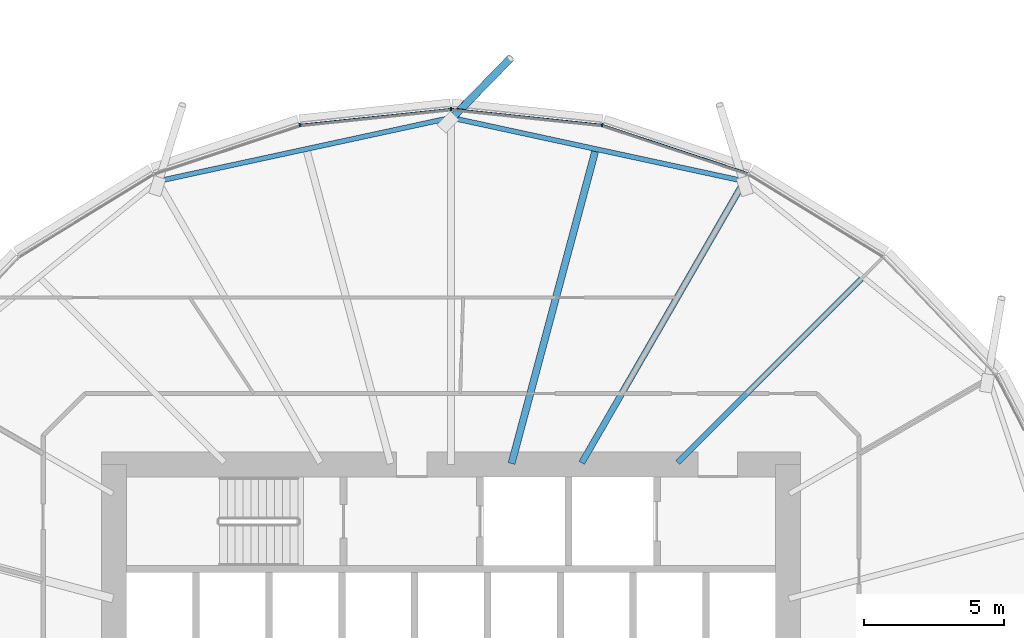
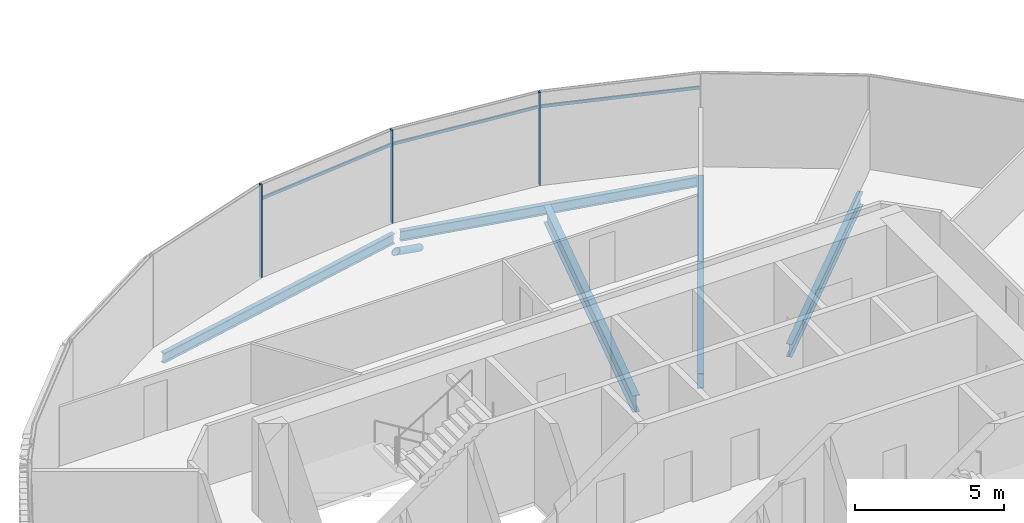
# One storey, part 10 of 37: 7 members, 5 beams, 1 element without a shape of its own.
"""IFC4 building model written with IfcOpenShell, lengths in metres."""

import ifcopenshell
import ifcopenshell.guid

model = None  # the IFC model being written
_history = None  # IfcOwnerHistory: only IFC2X3 demands one
_inside = {}  # id of a spatial element -> (the spatial element, [elements in it])
_under = {}  # id of a project, library or spatial element -> (it, [spatial elements below it])
_declared = {}  # id of a project -> (the project, [libraries it declares])
_typed = {}  # id of a type object -> (the type object, [elements of that type])
_made_of = {}  # id of a material, layer set ... -> (it, [elements and type objects made of it])


def new_model(schema):
    """Start an empty IFC model of exactly this schema.

    Asked for "IFC4X3", IfcOpenShell would pick the latest addendum, in which some entities
    have other attributes; the version numbers below select the first issue.
    IFC2X3 requires an IfcOwnerHistory on every rooted entity: one is made here for all.
    """
    global model, _history
    if schema == "IFC4X3":
        model = ifcopenshell.file(schema_version=(4, 3, 0, 0))
    else:
        model = ifcopenshell.file(schema=schema)
    _inside.clear()
    _under.clear()
    _declared.clear()
    _typed.clear()
    _made_of.clear()
    _history = None
    if model.schema == "IFC2X3":
        org = make("IfcOrganization", Name="unknown")
        user = make(
            "IfcPersonAndOrganization",
            ThePerson=make("IfcPerson", FamilyName="unknown"),
            TheOrganization=org,
        )
        app = make(
            "IfcApplication",
            ApplicationDeveloper=org,
            Version="unknown",
            ApplicationFullName="unknown",
            ApplicationIdentifier="unknown",
        )
        _history = make(
            "IfcOwnerHistory",
            OwningUser=user,
            OwningApplication=app,
            ChangeAction="ADDED",
            CreationDate=0,
        )
    return model


def make(cls, **values):
    """One entity of the class cls with the attributes given. An attribute that is None is left unset."""
    return model.create_entity(
        cls, **{name: value for name, value in values.items() if value is not None}
    )


def rooted(cls, **values):
    """An entity with a GlobalId (a new one), such as an element, a storey or a relation."""
    return make(cls, GlobalId=ifcopenshell.guid.new(), OwnerHistory=_history, **values)


def si_unit(unit_type, name, prefix=None):
    """IfcSIUnit, for example si_unit("LENGTHUNIT", "METRE", prefix="MILLI")."""
    return make("IfcSIUnit", UnitType=unit_type, Prefix=prefix, Name=name)


def assignment(units):
    """IfcUnitAssignment: the units of a project."""
    return None if units is None else make("IfcUnitAssignment", Units=units)


def point(xyz):
    """IfcCartesianPoint."""
    return None if xyz is None else make("IfcCartesianPoint", Coordinates=xyz)


def direction(xyz):
    """IfcDirection."""
    return None if xyz is None else make("IfcDirection", DirectionRatios=xyz)


def frame(location, z_axis=None, x_axis=None):
    """IfcAxis2Placement3D, a coordinate frame: its origin and axes. An axis left out is left unset."""
    return make(
        "IfcAxis2Placement3D",
        Location=point(location),
        Axis=direction(z_axis),
        RefDirection=direction(x_axis),
    )


def frame_2d(location, x_axis=None):
    """IfcAxis2Placement2D, a coordinate frame in the plane: its origin and x axis."""
    return make(
        "IfcAxis2Placement2D", Location=point(location), RefDirection=direction(x_axis)
    )


def origin():
    """The frame at (0, 0, 0) with its axes left unset."""
    return frame((0.0, 0.0, 0.0))


def origin_2d():
    """The frame at (0, 0) in the plane with its x axis left unset."""
    return frame_2d((0.0, 0.0))


def place(relative_to, where):
    """IfcLocalPlacement: puts the frame where relative to a parent placement (None: the world)."""
    return make(
        "IfcLocalPlacement", PlacementRelTo=relative_to, RelativePlacement=where
    )


def context(
    kind, dimensions, precision=None, world=None, true_north=None, identifier=None
):
    """IfcGeometricRepresentationContext, for example the 3D "Model" context."""
    return make(
        "IfcGeometricRepresentationContext",
        ContextIdentifier=identifier,
        ContextType=kind,
        CoordinateSpaceDimension=dimensions,
        Precision=precision,
        WorldCoordinateSystem=world,
        TrueNorth=true_north,
    )


def subcontext(parent, identifier, kind, view, scale=None):
    """IfcGeometricRepresentationSubContext, for example "Body" below "Model"."""
    return make(
        "IfcGeometricRepresentationSubContext",
        ContextIdentifier=identifier,
        ContextType=kind,
        ParentContext=parent,
        TargetScale=scale,
        TargetView=view,
    )


def project(units=None, contexts=None):
    """IfcProject with its units and contexts."""
    return rooted(
        "IfcProject",
        Name="project",
        RepresentationContexts=contexts,
        UnitsInContext=assignment(units),
    )


def spatial(cls, under=None, at=None, **own):
    """A site, building, storey or space (cls), placed at a placement, below another one or the project."""
    s = rooted(cls, ObjectPlacement=at, **own)
    if under is not None:
        _under.setdefault(under.id(), (under, []))[1].append(s)
    return s


def profile(cls, at=None, kind="AREA", **sizes):
    """A parametric profile (cls). Its sizes go by their IFC names, for example OverallWidth=200.0."""
    return make(cls, ProfileType=kind, Position=at, **sizes)


def rectangle(**sizes):
    """IfcRectangleProfileDef."""
    return profile("IfcRectangleProfileDef", **sizes)


def hollow_circle(**sizes):
    """IfcCircleHollowProfileDef."""
    return profile("IfcCircleHollowProfileDef", **sizes)


def i_section(**sizes):
    """IfcIShapeProfileDef."""
    return profile("IfcIShapeProfileDef", **sizes)


def extrude(swept, where, along, depth):
    """IfcExtrudedAreaSolid: the profile swept, set in the frame where, extruded along a direction by depth."""
    return make(
        "IfcExtrudedAreaSolid",
        SweptArea=swept,
        Position=where,
        ExtrudedDirection=direction(along),
        Depth=depth,
    )


def clip(a, b, op="DIFFERENCE"):
    """IfcBooleanClippingResult: the solid a cut by the half space b."""
    return make(
        "IfcBooleanClippingResult", Operator=op, FirstOperand=a, SecondOperand=b
    )


def halfspace(plane, agree):
    """IfcHalfSpaceSolid: all space on one side of the plane z = 0 of the frame plane."""
    return make(
        "IfcHalfSpaceSolid",
        BaseSurface=make("IfcPlane", Position=plane),
        AgreementFlag=agree,
    )


def shape(context_of_items, identifier, shape_type, items):
    """IfcShapeRepresentation: the items that make up one representation, for example the "Body"."""
    return make(
        "IfcShapeRepresentation",
        ContextOfItems=context_of_items,
        RepresentationIdentifier=identifier,
        RepresentationType=shape_type,
        Items=items,
    )


def material(Name=None, Category=None):
    """IfcMaterial."""
    return make("IfcMaterial", Name=Name, Category=Category)


def material_profile(
    of_material, cross_section, Name=None, Category=None, Priority=None
):
    """IfcMaterialProfile: a cross section and its material."""
    return make(
        "IfcMaterialProfile",
        Name=Name,
        Material=of_material,
        Profile=cross_section,
        Priority=Priority,
        Category=Category,
    )


def profile_set(profiles, Name=None, composite=None):
    """IfcMaterialProfileSet."""
    return make(
        "IfcMaterialProfileSet",
        Name=Name,
        MaterialProfiles=profiles,
        CompositeProfile=composite,
    )


def made_of(thing, what):
    """Note that an element or type object is made of a material, layer set ...; save() writes the relation."""
    if what is not None:
        _made_of.setdefault(what.id(), (what, []))[1].append(thing)
    return thing


def type_object(cls, material=None, **own):
    """A type object (cls), such as IfcWallType, which elements share."""
    return made_of(rooted(cls, **own), material)


def element(
    cls,
    number,
    at=None,
    inside=None,
    cuts=None,
    type_object=None,
    material=None,
    context=None,
    identifier="Body",
    shape_type=None,
    held_by="IfcProductDefinitionShape",
    body=None,
    shapes=None,
    **own,
):
    """One element of the class cls, such as IfcWall. Its Tag is "e" and its number.

    at: its placement. inside: the storey or other place that contains it. cuts: it is an
    opening in that element (IfcRelVoidsElement). A single representation is given by context,
    identifier, shape_type and body (its items); several are given by shapes. held_by: the class
    of the entity that holds the representations. save() writes the other relations.
    """
    e = rooted(cls, Tag="e%d" % number, ObjectPlacement=at, **own)
    if body is not None:
        shapes = [shape(context, identifier, shape_type, body)]
    if shapes is not None:
        e.Representation = make(held_by, Representations=shapes)
    if inside is not None:
        _inside.setdefault(inside.id(), (inside, []))[1].append(e)
    if cuts is not None:
        rooted(
            "IfcRelVoidsElement", RelatingBuildingElement=cuts, RelatedOpeningElement=e
        )
    if type_object is not None:
        _typed.setdefault(type_object.id(), (type_object, []))[1].append(e)
    return made_of(e, material)


def aggregate(whole, parts):
    """IfcRelAggregates: a whole, such as a stair, and the parts it consists of."""
    return rooted("IfcRelAggregates", RelatingObject=whole, RelatedObjects=parts)


def save(model, path):
    """Write the relations noted so far, then the file.

    IfcRelAggregates (storeys below a building ...), IfcRelContainedInSpatialStructure (elements
    in a storey), IfcRelDefinesByType, IfcRelAssociatesMaterial and IfcRelDeclares: one each for
    every whole, place, type object, material and project.
    """
    for whole, parts in _under.values():
        aggregate(whole, parts)
    for where, things in _inside.values():
        rooted(
            "IfcRelContainedInSpatialStructure",
            RelatedElements=things,
            RelatingStructure=where,
        )
    for kind, things in _typed.values():
        rooted("IfcRelDefinesByType", RelatedObjects=things, RelatingType=kind)
    for what, things in _made_of.values():
        rooted("IfcRelAssociatesMaterial", RelatedObjects=things, RelatingMaterial=what)
    for by, libraries in _declared.values():
        rooted("IfcRelDeclares", RelatingContext=by, RelatedDefinitions=libraries)
    model.write(path)


model = new_model("IFC4")

# Units and contexts
model_context = context("Model", 3, precision=1e-05, world=origin(), true_north=direction((0.0, 1.0)))
body_context = subcontext(model_context, "Body", "Model", "MODEL_VIEW")
ifc_project = project(units=[si_unit("LENGTHUNIT", "METRE"), si_unit("AREAUNIT", "SQUARE_METRE"), si_unit("VOLUMEUNIT", "CUBIC_METRE"), si_unit("PLANEANGLEUNIT", "RADIAN"), si_unit("MASSUNIT", "GRAM", prefix="KILO")], contexts=[model_context])

# Site, building, storey
site_placement = place(None, origin())
site = spatial("IfcSite", under=ifc_project, at=site_placement, CompositionType="ELEMENT")
building_placement = place(site_placement, origin())
building = spatial("IfcBuilding", under=site, at=building_placement, Name="Rimbun Link Towers", CompositionType="ELEMENT")
storey_placement = place(building_placement, frame((0.0, 0.0, 60.39990234375)))
storey = spatial("IfcBuildingStorey", under=building, at=storey_placement, Name="L14", CompositionType="ELEMENT", Elevation=60.39990234375)

# Curtain wall, members
ifc_material_1 = material(Name="Aluminium 6063-T6 and low-iron glass", Category="aluminium")
curtain_wall_type = type_object("IfcCurtainWallType", Name="CW1 unitised vision wall", PredefinedType="NOTDEFINED", material=ifc_material_1)
curtain_wall_placement = place(storey_placement, origin())
curtain_wall = element("IfcCurtainWall", 1, at=curtain_wall_placement, inside=storey, type_object=curtain_wall_type, Name="CW1 L14 T1", PredefinedType="NOTDEFINED")
ifc_material_2 = material(Name="Aluminium 6063-T6", Category="aluminium")
ifc_material_profile_1 = material_profile(ifc_material_2, rectangle(XDim=0.1201171875, YDim=0.06005859375, at=origin_2d()), Name="MULLION 60X120")
ifc_profile_set_1 = profile_set([ifc_material_profile_1], Name="Aluminium 6063-T6")
member_type_1 = type_object("IfcMemberType", Name="CW1 mullion 60X120", PredefinedType="MULLION", material=ifc_profile_set_1)
member_1_placement = place(storey_placement, frame((-26.369384765625, 20.09228515625, 0.0), z_axis=(0.0, 0.0, 1.0), x_axis=(0.210873842747, 0.977513285048, 0.0)))
member_1 = element("IfcMember", 2, at=member_1_placement, type_object=member_type_1, Name="CW1 mullion", PredefinedType="MULLION", context=body_context, shape_type="SweptSolid", body=[
    extrude(rectangle(XDim=0.1201171875, YDim=0.06005859375, at=origin_2d()), origin(), (0.0, 0.0, 1.0), 3.800048828125),
])
member_2_placement = place(storey_placement, frame((-31.75, 20.6591796875, 0.0), z_axis=(0.0, 0.0, 1.0), x_axis=(0.0, 1.0, 0.0)))
member_2 = element("IfcMember", 3, at=member_2_placement, type_object=member_type_1, Name="CW1 mullion", PredefinedType="MULLION", context=body_context, shape_type="SweptSolid", body=[
    extrude(rectangle(XDim=0.1201171875, YDim=0.06005859375, at=origin_2d()), origin(), (0.0, 0.0, 1.0), 3.800048828125),
])
member_3_placement = place(storey_placement, frame((-37.130615234375, 20.09228515625, 0.0), z_axis=(0.0, 0.0, 1.0), x_axis=(-0.210873842747, 0.977513285048, 0.0)))
member_3 = element("IfcMember", 4, at=member_3_placement, type_object=member_type_1, Name="CW1 mullion", PredefinedType="MULLION", context=body_context, shape_type="SweptSolid", body=[
    extrude(rectangle(XDim=0.1201171875, YDim=0.06005859375, at=origin_2d()), origin(), (0.0, 0.0, 1.0), 3.800048828125),
])
ifc_material_3 = material(Name="Aluminium 6063-T6", Category="aluminium")
ifc_material_profile_2 = material_profile(ifc_material_3, rectangle(XDim=0.06005859375, YDim=0.1201171875, at=origin_2d()), Name="TRANSOM 60X120")
ifc_profile_set_2 = profile_set([ifc_material_profile_2], Name="Aluminium 6063-T6")
member_type_2 = type_object("IfcMemberType", Name="CW1 transom 60X120", PredefinedType="USERDEFINED", material=ifc_profile_set_2)
member_4_placement = place(storey_placement, frame((-26.335205078125, 20.079345703125, 3.2001953125), z_axis=(0.949235766139, -0.314565510318, 0.0), x_axis=(0.314565510318, 0.949235766139, 0.0)))
member_4 = element("IfcMember", 5, at=member_4_placement, type_object=member_type_2, Name="CW1 transom", ObjectType="TRANSOM", PredefinedType="USERDEFINED", context=body_context, shape_type="SweptSolid", body=[
    extrude(rectangle(XDim=0.06005859375, YDim=0.1201171875, at=origin_2d()), origin(), (0.0, 0.0, 1.0), 5.421142578125),
])
member_5_placement = place(storey_placement, frame((-31.714111328125, 20.653564453125, 3.2001953125), z_axis=(0.99449943631, -0.104741926558, 0.0), x_axis=(0.104741926558, 0.99449943631, 0.0)))
member_5 = element("IfcMember", 6, at=member_5_placement, type_object=member_type_2, Name="CW1 transom", ObjectType="TRANSOM", PredefinedType="USERDEFINED", context=body_context, shape_type="SweptSolid", body=[
    extrude(rectangle(XDim=0.06005859375, YDim=0.1201171875, at=origin_2d()), origin(), (0.0, 0.0, 1.0), 5.337646484375),
])
member_6_placement = place(storey_placement, frame((-37.09423828125, 20.094482421875, 3.2001953125), z_axis=(0.99449943631, 0.104741926558, 0.0), x_axis=(-0.104741926558, 0.99449943631, 0.0)))
member_6 = element("IfcMember", 7, at=member_6_placement, type_object=member_type_2, Name="CW1 transom", ObjectType="TRANSOM", PredefinedType="USERDEFINED", context=body_context, shape_type="SweptSolid", body=[
    extrude(rectangle(XDim=0.06005859375, YDim=0.1201171875, at=origin_2d()), origin(), (0.0, 0.0, 1.0), 5.337646484375),
])
aggregate(curtain_wall, [member_1, member_2, member_3, member_4, member_5, member_6])

# Member
ifc_material_4 = material(Name="Steel S355J2H", Category="steel")
ifc_material_profile_3 = material_profile(ifc_material_4, hollow_circle(Radius=0.136474609375, WallThickness=0.012451171875, at=origin_2d()), Name="CHS 273x12.5")
ifc_profile_set_3 = profile_set([ifc_material_profile_3], Name="Steel S355J2H")
member_type_3 = type_object("IfcMemberType", Name="Floor edge link CHS 273x12.5", PredefinedType="BRACE", material=ifc_profile_set_3)
member_7_placement = place(storey_placement, frame((-31.75, 20.297607421875, -0.959228515625), z_axis=(0.591983223864, 0.605956345441, -0.53138758932), x_axis=(-0.715306024786, 0.698811341425, 0.0)))
element("IfcMember", 8, at=member_7_placement, inside=storey, type_object=member_type_3, Name="Floor edge link T1 L14 06", PredefinedType="BRACE", context=body_context, shape_type="Clipping", body=[
    clip(extrude(hollow_circle(Radius=0.136474609375, WallThickness=0.012451171875, at=origin_2d()), frame((0.0, 0.0, -0.4541015625)), (0.0, 0.0, 1.0), 4.035888671875), halfspace(frame((0.0, 0.0, -0.214111328125), z_axis=(0.0, 0.847128815421, -0.53138758932)), False)),
])

# Beams
ifc_material_5 = material(Name="Steel S355J2", Category="steel")
ifc_material_profile_4 = material_profile(ifc_material_5, i_section(OverallWidth=0.177978515625, OverallDepth=0.406494140625, WebThickness=0.0078125, FlangeThickness=0.0126953125, at=origin_2d()), Name="UB 406x178x60")
ifc_profile_set_4 = profile_set([ifc_material_profile_4], Name="Steel S355J2")
beam_type_1 = type_object("IfcBeamType", Name="UB 406x178x60", PredefinedType="BEAM", material=ifc_profile_set_4)
for number, where, z_axis, x_axis, name in (
    (9, (-21.42431640625, 18.114013671875, -0.363037109375), (-0.977392737339, 0.21143187318, 0.0), (-0.21143187318, -0.977392737339, 0.0), "Edge beam T1 L14 04-06"),
    (10, (-31.877685546875, 20.320068359375, -0.363037109375), (-0.977392737339, -0.21143187318, 0.0), (0.21143187318, -0.977392737339, 0.0), "Edge beam T1 L14 06-08"),
):
    element("IfcBeam", number, at=place(storey_placement, frame(where, z_axis=z_axis, x_axis=x_axis)), inside=storey, type_object=beam_type_1, Name=name, PredefinedType="BEAM", context=body_context, shape_type="SweptSolid", body=[
        extrude(i_section(OverallWidth=0.177978515625, OverallDepth=0.406494140625, WebThickness=0.0078125, FlangeThickness=0.0126953125, at=origin_2d()), origin(), (0.0, 0.0, 1.0), 10.433837890625),
    ])
ifc_material_6 = material(Name="Steel S355J2", Category="steel")
ifc_material_profile_5 = material_profile(ifc_material_6, i_section(OverallWidth=0.209228515625, OverallDepth=0.533203125, WebThickness=0.010009765625, FlangeThickness=0.015625, at=origin_2d()), Name="UB 533x210x92")
ifc_profile_set_5 = profile_set([ifc_material_profile_5], Name="Steel S355J2")
beam_type_2 = type_object("IfcBeamType", Name="UB 533x210x92", PredefinedType="BEAM", material=ifc_profile_set_5)
beam_1_placement = place(storey_placement, frame((-23.67529296875, 8.07470703125, -0.426513671875), z_axis=(0.707106781187, 0.707106781187, 0.0), x_axis=(-0.707106781187, 0.707106781187, 0.0)))
element("IfcBeam", 11, at=beam_1_placement, inside=storey, type_object=beam_type_2, Name="Radial beam T1 L14 03", PredefinedType="BEAM", context=body_context, shape_type="SweptSolid", body=[
    extrude(i_section(OverallWidth=0.209228515625, OverallDepth=0.533203125, WebThickness=0.010009765625, FlangeThickness=0.015625, at=origin_2d()), origin(), (0.0, 0.0, 1.0), 9.24072265625),
])
ifc_material_7 = material(Name="Steel S355J2", Category="steel")
ifc_material_profile_6 = material_profile(ifc_material_7, i_section(OverallWidth=0.2275390625, OverallDepth=0.6025390625, WebThickness=0.010498046875, FlangeThickness=0.014892578125, at=origin_2d()), Name="UB 610x229x101")
ifc_profile_set_6 = profile_set([ifc_material_profile_6], Name="Steel S355J2")
beam_type_3 = type_object("IfcBeamType", Name="UB 610x229x101", PredefinedType="BEAM", material=ifc_profile_set_6)
beam_2_placement = place(storey_placement, frame((-27.097900390625, 8.057861328125, -0.461181640625), z_axis=(0.500008919292, 0.866020254168, 0.0), x_axis=(-0.866020254168, 0.500008919292, 0.0)))
element("IfcBeam", 12, at=beam_2_placement, inside=storey, type_object=beam_type_3, Name="Radial beam T1 L14 04", PredefinedType="BEAM", context=body_context, shape_type="SweptSolid", body=[
    extrude(i_section(OverallWidth=0.2275390625, OverallDepth=0.6025390625, WebThickness=0.010498046875, FlangeThickness=0.014892578125, at=origin_2d()), origin(), (0.0, 0.0, 1.0), 11.582275390625),
])
ifc_material_8 = material(Name="Steel S355J2", Category="steel")
ifc_material_profile_7 = material_profile(ifc_material_8, i_section(OverallWidth=0.253662109375, OverallDepth=0.68359375, WebThickness=0.012451171875, FlangeThickness=0.01904296875, at=origin_2d()), Name="UB 686x254x140")
ifc_profile_set_7 = profile_set([ifc_material_profile_7], Name="Steel S355J2")
beam_type_4 = type_object("IfcBeamType", Name="UB 686x254x140", PredefinedType="BEAM", material=ifc_profile_set_7)
beam_3_placement = place(storey_placement, frame((-29.597412109375, 8.03369140625, -0.501708984375), z_axis=(0.258819531339, 0.965925696002, 0.0), x_axis=(-0.965925696002, 0.258819531339, 0.0)))
element("IfcBeam", 13, at=beam_3_placement, inside=storey, type_object=beam_type_4, Name="Radial beam T1 L14 05", PredefinedType="BEAM", context=body_context, shape_type="SweptSolid", body=[
    extrude(i_section(OverallWidth=0.253662109375, OverallDepth=0.68359375, WebThickness=0.012451171875, FlangeThickness=0.01904296875, at=origin_2d()), origin(), (0.0, 0.0, 1.0), 11.50439453125),
])

save(model, "model.ifc")
